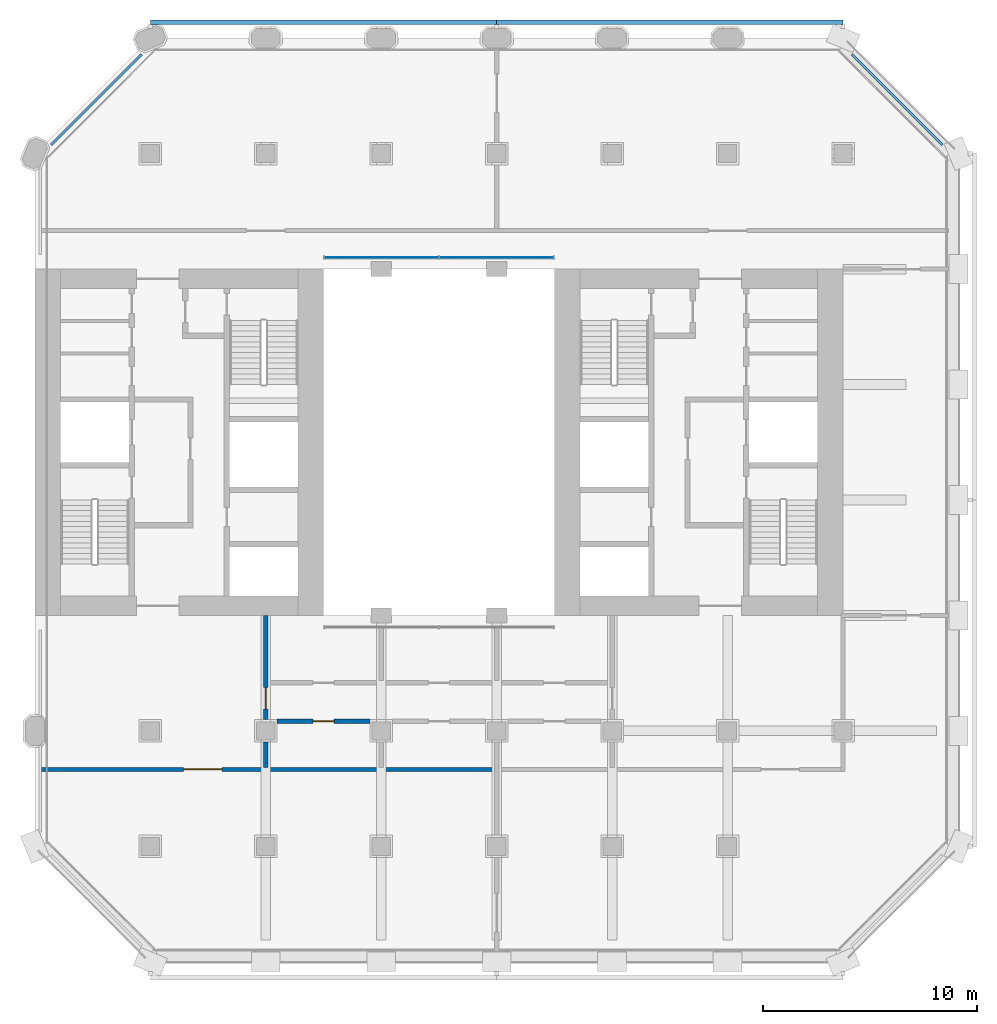
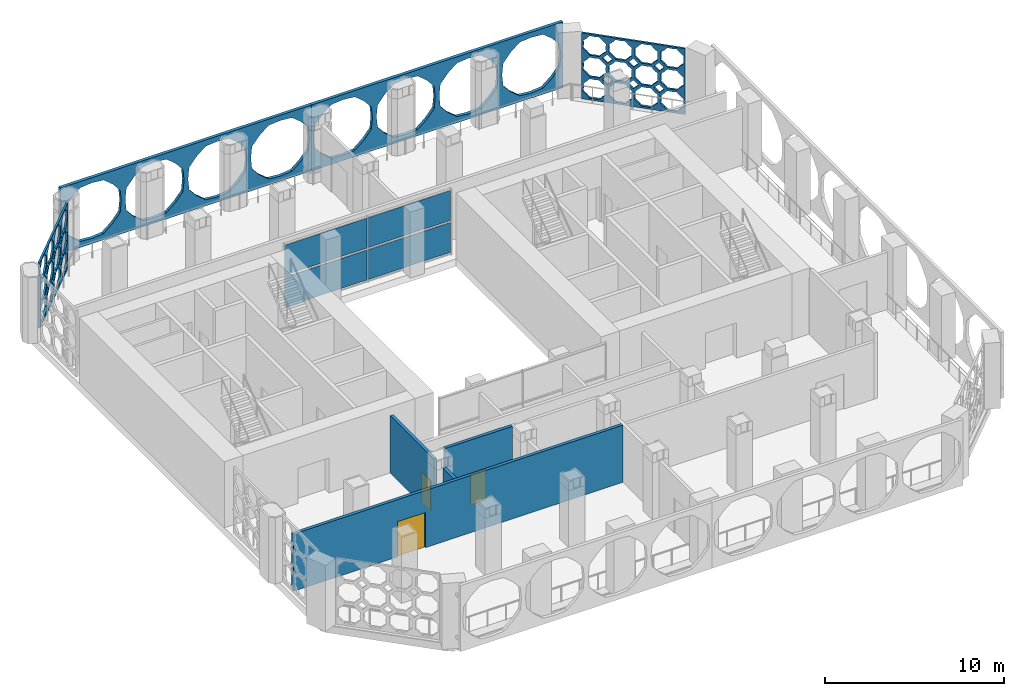
# One storey, part 7 of 14: 8 plates, 4 walls, 3 doors, 3 openings, 1 element without a shape of its own.
"""IFC4 building model written with IfcOpenShell, lengths in metres."""

import ifcopenshell
import ifcopenshell.guid

model = None  # the IFC model being written
_history = None  # IfcOwnerHistory: only IFC2X3 demands one
_inside = {}  # id of a spatial element -> (the spatial element, [elements in it])
_under = {}  # id of a project, library or spatial element -> (it, [spatial elements below it])
_declared = {}  # id of a project -> (the project, [libraries it declares])
_typed = {}  # id of a type object -> (the type object, [elements of that type])
_made_of = {}  # id of a material, layer set ... -> (it, [elements and type objects made of it])


def new_model(schema):
    """Start an empty IFC model of exactly this schema.

    Asked for "IFC4X3", IfcOpenShell would pick the latest addendum, in which some entities
    have other attributes; the version numbers below select the first issue.
    IFC2X3 requires an IfcOwnerHistory on every rooted entity: one is made here for all.
    """
    global model, _history
    if schema == "IFC4X3":
        model = ifcopenshell.file(schema_version=(4, 3, 0, 0))
    else:
        model = ifcopenshell.file(schema=schema)
    _inside.clear()
    _under.clear()
    _declared.clear()
    _typed.clear()
    _made_of.clear()
    _history = None
    if model.schema == "IFC2X3":
        org = make("IfcOrganization", Name="unknown")
        user = make(
            "IfcPersonAndOrganization",
            ThePerson=make("IfcPerson", FamilyName="unknown"),
            TheOrganization=org,
        )
        app = make(
            "IfcApplication",
            ApplicationDeveloper=org,
            Version="unknown",
            ApplicationFullName="unknown",
            ApplicationIdentifier="unknown",
        )
        _history = make(
            "IfcOwnerHistory",
            OwningUser=user,
            OwningApplication=app,
            ChangeAction="ADDED",
            CreationDate=0,
        )
    return model


def make(cls, **values):
    """One entity of the class cls with the attributes given. An attribute that is None is left unset."""
    return model.create_entity(
        cls, **{name: value for name, value in values.items() if value is not None}
    )


def rooted(cls, **values):
    """An entity with a GlobalId (a new one), such as an element, a storey or a relation."""
    return make(cls, GlobalId=ifcopenshell.guid.new(), OwnerHistory=_history, **values)


def si_unit(unit_type, name, prefix=None):
    """IfcSIUnit, for example si_unit("LENGTHUNIT", "METRE", prefix="MILLI")."""
    return make("IfcSIUnit", UnitType=unit_type, Prefix=prefix, Name=name)


def assignment(units):
    """IfcUnitAssignment: the units of a project."""
    return None if units is None else make("IfcUnitAssignment", Units=units)


def point(xyz):
    """IfcCartesianPoint."""
    return None if xyz is None else make("IfcCartesianPoint", Coordinates=xyz)


def direction(xyz):
    """IfcDirection."""
    return None if xyz is None else make("IfcDirection", DirectionRatios=xyz)


def frame(location, z_axis=None, x_axis=None):
    """IfcAxis2Placement3D, a coordinate frame: its origin and axes. An axis left out is left unset."""
    return make(
        "IfcAxis2Placement3D",
        Location=point(location),
        Axis=direction(z_axis),
        RefDirection=direction(x_axis),
    )


def frame_2d(location, x_axis=None):
    """IfcAxis2Placement2D, a coordinate frame in the plane: its origin and x axis."""
    return make(
        "IfcAxis2Placement2D", Location=point(location), RefDirection=direction(x_axis)
    )


def origin():
    """The frame at (0, 0, 0) with its axes left unset."""
    return frame((0.0, 0.0, 0.0))


def origin_2d():
    """The frame at (0, 0) in the plane with its x axis left unset."""
    return frame_2d((0.0, 0.0))


def place(relative_to, where):
    """IfcLocalPlacement: puts the frame where relative to a parent placement (None: the world)."""
    return make(
        "IfcLocalPlacement", PlacementRelTo=relative_to, RelativePlacement=where
    )


def context(
    kind, dimensions, precision=None, world=None, true_north=None, identifier=None
):
    """IfcGeometricRepresentationContext, for example the 3D "Model" context."""
    return make(
        "IfcGeometricRepresentationContext",
        ContextIdentifier=identifier,
        ContextType=kind,
        CoordinateSpaceDimension=dimensions,
        Precision=precision,
        WorldCoordinateSystem=world,
        TrueNorth=true_north,
    )


def subcontext(parent, identifier, kind, view, scale=None):
    """IfcGeometricRepresentationSubContext, for example "Body" below "Model"."""
    return make(
        "IfcGeometricRepresentationSubContext",
        ContextIdentifier=identifier,
        ContextType=kind,
        ParentContext=parent,
        TargetScale=scale,
        TargetView=view,
    )


def project(units=None, contexts=None):
    """IfcProject with its units and contexts."""
    return rooted(
        "IfcProject",
        Name="project",
        RepresentationContexts=contexts,
        UnitsInContext=assignment(units),
    )


def spatial(cls, under=None, at=None, **own):
    """A site, building, storey or space (cls), placed at a placement, below another one or the project."""
    s = rooted(cls, ObjectPlacement=at, **own)
    if under is not None:
        _under.setdefault(under.id(), (under, []))[1].append(s)
    return s


def polyline(points):
    """IfcPolyline through the points."""
    return make("IfcPolyline", Points=[point(p) for p in points])


def profile(cls, at=None, kind="AREA", **sizes):
    """A parametric profile (cls). Its sizes go by their IFC names, for example OverallWidth=200.0."""
    return make(cls, ProfileType=kind, Position=at, **sizes)


def rectangle(**sizes):
    """IfcRectangleProfileDef."""
    return profile("IfcRectangleProfileDef", **sizes)


def outline(outer, holes=None, kind="AREA"):
    """IfcArbitraryClosedProfileDef: a profile drawn as a closed curve; with holes, ...WithVoids."""
    if holes is None:
        return make("IfcArbitraryClosedProfileDef", ProfileType=kind, OuterCurve=outer)
    return make(
        "IfcArbitraryProfileDefWithVoids",
        ProfileType=kind,
        OuterCurve=outer,
        InnerCurves=holes,
    )


def extrude(swept, where, along, depth):
    """IfcExtrudedAreaSolid: the profile swept, set in the frame where, extruded along a direction by depth."""
    return make(
        "IfcExtrudedAreaSolid",
        SweptArea=swept,
        Position=where,
        ExtrudedDirection=direction(along),
        Depth=depth,
    )


def shape(context_of_items, identifier, shape_type, items):
    """IfcShapeRepresentation: the items that make up one representation, for example the "Body"."""
    return make(
        "IfcShapeRepresentation",
        ContextOfItems=context_of_items,
        RepresentationIdentifier=identifier,
        RepresentationType=shape_type,
        Items=items,
    )


def material(Name=None, Category=None):
    """IfcMaterial."""
    return make("IfcMaterial", Name=Name, Category=Category)


def layer(
    of_material, thickness, ventilated=None, Name=None, Category=None, Priority=None
):
    """IfcMaterialLayer: one layer of a wall or slab, of a material (None: an air gap)."""
    return make(
        "IfcMaterialLayer",
        Material=of_material,
        LayerThickness=thickness,
        IsVentilated=ventilated,
        Name=Name,
        Category=Category,
        Priority=Priority,
    )


def layer_set(layers, Name=None):
    """IfcMaterialLayerSet."""
    return make("IfcMaterialLayerSet", MaterialLayers=layers, LayerSetName=Name)


def made_of(thing, what):
    """Note that an element or type object is made of a material, layer set ...; save() writes the relation."""
    if what is not None:
        _made_of.setdefault(what.id(), (what, []))[1].append(thing)
    return thing


def type_object(cls, material=None, **own):
    """A type object (cls), such as IfcWallType, which elements share."""
    return made_of(rooted(cls, **own), material)


def element(
    cls,
    number,
    at=None,
    inside=None,
    cuts=None,
    type_object=None,
    material=None,
    context=None,
    identifier="Body",
    shape_type=None,
    held_by="IfcProductDefinitionShape",
    body=None,
    shapes=None,
    **own,
):
    """One element of the class cls, such as IfcWall. Its Tag is "e" and its number.

    at: its placement. inside: the storey or other place that contains it. cuts: it is an
    opening in that element (IfcRelVoidsElement). A single representation is given by context,
    identifier, shape_type and body (its items); several are given by shapes. held_by: the class
    of the entity that holds the representations. save() writes the other relations.
    """
    e = rooted(cls, Tag="e%d" % number, ObjectPlacement=at, **own)
    if body is not None:
        shapes = [shape(context, identifier, shape_type, body)]
    if shapes is not None:
        e.Representation = make(held_by, Representations=shapes)
    if inside is not None:
        _inside.setdefault(inside.id(), (inside, []))[1].append(e)
    if cuts is not None:
        rooted(
            "IfcRelVoidsElement", RelatingBuildingElement=cuts, RelatedOpeningElement=e
        )
    if type_object is not None:
        _typed.setdefault(type_object.id(), (type_object, []))[1].append(e)
    return made_of(e, material)


def fill(opening, filler):
    """IfcRelFillsElement: the door or window that sits in an opening."""
    return rooted(
        "IfcRelFillsElement",
        RelatingOpeningElement=opening,
        RelatedBuildingElement=filler,
    )


def aggregate(whole, parts):
    """IfcRelAggregates: a whole, such as a stair, and the parts it consists of."""
    return rooted("IfcRelAggregates", RelatingObject=whole, RelatedObjects=parts)


def save(model, path):
    """Write the relations noted so far, then the file.

    IfcRelAggregates (storeys below a building ...), IfcRelContainedInSpatialStructure (elements
    in a storey), IfcRelDefinesByType, IfcRelAssociatesMaterial and IfcRelDeclares: one each for
    every whole, place, type object, material and project.
    """
    for whole, parts in _under.values():
        aggregate(whole, parts)
    for where, things in _inside.values():
        rooted(
            "IfcRelContainedInSpatialStructure",
            RelatedElements=things,
            RelatingStructure=where,
        )
    for kind, things in _typed.values():
        rooted("IfcRelDefinesByType", RelatedObjects=things, RelatingType=kind)
    for what, things in _made_of.values():
        rooted("IfcRelAssociatesMaterial", RelatedObjects=things, RelatingMaterial=what)
    for by, libraries in _declared.values():
        rooted("IfcRelDeclares", RelatingContext=by, RelatedDefinitions=libraries)
    model.write(path)


model = new_model("IFC4")

# Units and contexts
model_context = context("Model", 3, precision=1e-05, world=origin(), true_north=direction((0.0, 1.0)))
body_context = subcontext(model_context, "Body", "Model", "MODEL_VIEW")
ifc_project = project(units=[si_unit("LENGTHUNIT", "METRE"), si_unit("AREAUNIT", "SQUARE_METRE"), si_unit("VOLUMEUNIT", "CUBIC_METRE"), si_unit("PLANEANGLEUNIT", "RADIAN"), si_unit("MASSUNIT", "GRAM", prefix="KILO")], contexts=[model_context])

# Site, building, storey
site_placement = place(None, origin())
site = spatial("IfcSite", under=ifc_project, at=site_placement, CompositionType="ELEMENT")
building_placement = place(site_placement, origin())
building = spatial("IfcBuilding", under=site, at=building_placement, Name="Tabaq Tower and Sports Hall", CompositionType="ELEMENT")
storey_placement = place(building_placement, frame((0.0, 0.0, 175.89990234375)))
storey = spatial("IfcBuildingStorey", under=building, at=storey_placement, Name="L42", CompositionType="ELEMENT", Elevation=175.89990234375)

# Curtain wall, plates
ifc_material_1 = material(Name="Aluminium alloy 6063-T6 framed glazing", Category="aluminium")
curtain_wall_type = type_object("IfcCurtainWallType", Name="CW1 curtain wall", PredefinedType="USERDEFINED", material=ifc_material_1)
curtain_wall_placement = place(storey_placement, origin())
curtain_wall = element("IfcCurtainWall", 1, at=curtain_wall_placement, inside=storey, type_object=curtain_wall_type, Name="Atrium glazing L42 N", ObjectType="ATRIUM ENCLOSURE", PredefinedType="USERDEFINED")
ifc_material_2 = material(Name="Clear low-emissivity glass 28 mm", Category="glass")
ifc_layer_1 = layer(ifc_material_2, 0.028076171875)
ifc_layer_set_1 = layer_set([ifc_layer_1], Name="CW1 glass panel 28")
plate_type_1 = type_object("IfcPlateType", Name="CW1 glass panel 28", PredefinedType="CURTAIN_PANEL", material=ifc_layer_set_1)
plate_1_placement = place(storey_placement, frame((21.614990234375, 32.949951171875, 0.14013671875), z_axis=(0.0, 0.0, 1.0), x_axis=(1.0, 0.0, 0.0)))
plate_1 = element("IfcPlate", 2, at=plate_1_placement, type_object=plate_type_1, Name="CW1 panel 1.1", PredefinedType="CURTAIN_PANEL", context=body_context, shape_type="SweptSolid", body=[
    extrude(rectangle(XDim=5.31005859375, YDim=0.028076171875, at=origin_2d()), origin(), (0.0, 0.0, 1.0), 2.0400390625),
])
plate_2_placement = place(storey_placement, frame((21.614990234375, 32.949951171875, 2.320068359375), z_axis=(0.0, 0.0, 1.0), x_axis=(1.0, 0.0, 0.0)))
plate_2 = element("IfcPlate", 3, at=plate_2_placement, type_object=plate_type_1, Name="CW1 panel 1.2", PredefinedType="CURTAIN_PANEL", context=body_context, shape_type="SweptSolid", body=[
    extrude(rectangle(XDim=5.31005859375, YDim=0.028076171875, at=origin_2d()), origin(), (0.0, 0.0, 1.0), 2.0400390625),
])
plate_3_placement = place(storey_placement, frame((26.985107421875, 32.949951171875, 0.14013671875), z_axis=(0.0, 0.0, 1.0), x_axis=(1.0, 0.0, 0.0)))
plate_3 = element("IfcPlate", 4, at=plate_3_placement, type_object=plate_type_1, Name="CW1 panel 2.1", PredefinedType="CURTAIN_PANEL", context=body_context, shape_type="SweptSolid", body=[
    extrude(rectangle(XDim=5.31005859375, YDim=0.028076171875, at=origin_2d()), origin(), (0.0, 0.0, 1.0), 2.0400390625),
])
plate_4_placement = place(storey_placement, frame((26.985107421875, 32.949951171875, 2.320068359375), z_axis=(0.0, 0.0, 1.0), x_axis=(1.0, 0.0, 0.0)))
plate_4 = element("IfcPlate", 5, at=plate_4_placement, type_object=plate_type_1, Name="CW1 panel 2.2", PredefinedType="CURTAIN_PANEL", context=body_context, shape_type="SweptSolid", body=[
    extrude(rectangle(XDim=5.31005859375, YDim=0.028076171875, at=origin_2d()), origin(), (0.0, 0.0, 1.0), 2.0400390625),
])
aggregate(curtain_wall, [plate_1, plate_2, plate_3, plate_4])

# Plates
ifc_material_3 = material(Name="White precast concrete C60/75 pierced screen", Category="concrete")
ifc_layer_2 = layer(ifc_material_3, 0.199951171875)
ifc_layer_set_2 = layer_set([ifc_layer_2], Name="White precast concrete C60/75 girih screen 200")
plate_type_2 = type_object("IfcPlateType", Name="White precast concrete C60/75 girih screen 200", PredefinedType="USERDEFINED", material=ifc_layer_set_2)
plate_5_placement = place(storey_placement, frame((43.199951171875, 43.949951171875, 0.0), z_axis=(0.0, 0.0, 1.0), x_axis=(-1.0, 0.0, 0.0)))
element("IfcPlate", 6, at=plate_5_placement, inside=storey, type_object=plate_type_2, Name="Girih screen L42 N", ObjectType="SCREEN", PredefinedType="USERDEFINED", context=body_context, shape_type="SweptSolid", body=[
    extrude(outline(polyline([(0.0, 0.0), (16.199951171875, 0.0), (16.199951171875, 4.5), (0.0, 4.5), (0.0, 0.0)]), holes=[polyline([(3.85107421875, 3.00634765625), (3.36669921875, 3.591796875), (2.78125, 4.076171875), (2.02490234375, 4.1474609375), (1.2685546875, 4.076171875), (0.683349609375, 3.591796875), (0.198974609375, 3.00634765625), (0.127685546875, 2.25), (0.198974609375, 1.49365234375), (0.683349609375, 0.908447265625), (1.2685546875, 0.424072265625), (2.02490234375, 0.352783203125), (2.78125, 0.424072265625), (3.36669921875, 0.908447265625), (3.85107421875, 1.49365234375), (3.92236328125, 2.25), (3.85107421875, 3.00634765625)]), polyline([(7.90087890625, 3.00634765625), (7.41650390625, 3.591796875), (6.831298828125, 4.076171875), (6.074951171875, 4.1474609375), (5.318603515625, 4.076171875), (4.7333984375, 3.591796875), (4.2490234375, 3.00634765625), (4.177734375, 2.25), (4.2490234375, 1.49365234375), (4.7333984375, 0.908447265625), (5.318603515625, 0.424072265625), (6.074951171875, 0.352783203125), (6.831298828125, 0.424072265625), (7.41650390625, 0.908447265625), (7.90087890625, 1.49365234375), (7.972412109375, 2.25), (7.90087890625, 3.00634765625)]), polyline([(11.950927734375, 3.00634765625), (11.466552734375, 3.591796875), (10.88134765625, 4.076171875), (10.125, 4.1474609375), (9.36865234375, 4.076171875), (8.783447265625, 3.591796875), (8.299072265625, 3.00634765625), (8.2275390625, 2.25), (8.299072265625, 1.49365234375), (8.783447265625, 0.908447265625), (9.36865234375, 0.424072265625), (10.125, 0.352783203125), (10.88134765625, 0.424072265625), (11.466552734375, 0.908447265625), (11.950927734375, 1.49365234375), (12.0224609375, 2.25), (11.950927734375, 3.00634765625)]), polyline([(16.0009765625, 3.00634765625), (15.5166015625, 3.591796875), (14.931396484375, 4.076171875), (14.175048828125, 4.1474609375), (13.418701171875, 4.076171875), (12.83349609375, 3.591796875), (12.34912109375, 3.00634765625), (12.277587890625, 2.25), (12.34912109375, 1.49365234375), (12.83349609375, 0.908447265625), (13.418701171875, 0.424072265625), (14.175048828125, 0.352783203125), (14.931396484375, 0.424072265625), (15.5166015625, 0.908447265625), (16.0009765625, 1.49365234375), (16.072265625, 2.25), (16.0009765625, 3.00634765625)])]), frame((0.0, 0.10009765625, 0.0), z_axis=(0.0, -1.0, 0.0), x_axis=(1.0, 0.0, 0.0)), (0.0, 0.0, 1.0), 0.199951171875),
])
plate_6_placement = place(storey_placement, frame((27.0, 43.949951171875, 0.0), z_axis=(0.0, 0.0, 1.0), x_axis=(-1.0, 0.0, 0.0)))
element("IfcPlate", 7, at=plate_6_placement, inside=storey, type_object=plate_type_2, Name="Girih screen L42 N", ObjectType="SCREEN", PredefinedType="USERDEFINED", context=body_context, shape_type="SweptSolid", body=[
    extrude(outline(polyline([(0.0, 0.0), (16.199951171875, 0.0), (16.199951171875, 4.5), (0.0, 4.5), (0.0, 0.0)]), holes=[polyline([(3.85107421875, 3.00634765625), (3.36669921875, 3.591796875), (2.78125, 4.076171875), (2.02490234375, 4.1474609375), (1.2685546875, 4.076171875), (0.683349609375, 3.591796875), (0.198974609375, 3.00634765625), (0.127685546875, 2.25), (0.198974609375, 1.49365234375), (0.683349609375, 0.908447265625), (1.2685546875, 0.424072265625), (2.02490234375, 0.352783203125), (2.78125, 0.424072265625), (3.36669921875, 0.908447265625), (3.85107421875, 1.49365234375), (3.92236328125, 2.25), (3.85107421875, 3.00634765625)]), polyline([(7.90087890625, 3.00634765625), (7.41650390625, 3.591796875), (6.831298828125, 4.076171875), (6.074951171875, 4.1474609375), (5.318603515625, 4.076171875), (4.7333984375, 3.591796875), (4.2490234375, 3.00634765625), (4.177734375, 2.25), (4.2490234375, 1.49365234375), (4.7333984375, 0.908447265625), (5.318603515625, 0.424072265625), (6.074951171875, 0.352783203125), (6.831298828125, 0.424072265625), (7.41650390625, 0.908447265625), (7.90087890625, 1.49365234375), (7.972412109375, 2.25), (7.90087890625, 3.00634765625)]), polyline([(11.950927734375, 3.00634765625), (11.466552734375, 3.591796875), (10.88134765625, 4.076171875), (10.125, 4.1474609375), (9.36865234375, 4.076171875), (8.783447265625, 3.591796875), (8.299072265625, 3.00634765625), (8.2275390625, 2.25), (8.299072265625, 1.49365234375), (8.783447265625, 0.908447265625), (9.36865234375, 0.424072265625), (10.125, 0.352783203125), (10.88134765625, 0.424072265625), (11.466552734375, 0.908447265625), (11.950927734375, 1.49365234375), (12.0224609375, 2.25), (11.950927734375, 3.00634765625)]), polyline([(16.0009765625, 3.00634765625), (15.5166015625, 3.591796875), (14.931396484375, 4.076171875), (14.175048828125, 4.1474609375), (13.418701171875, 4.076171875), (12.83349609375, 3.591796875), (12.34912109375, 3.00634765625), (12.277587890625, 2.25), (12.34912109375, 1.49365234375), (12.83349609375, 0.908447265625), (13.418701171875, 0.424072265625), (14.175048828125, 0.352783203125), (14.931396484375, 0.424072265625), (15.5166015625, 0.908447265625), (16.0009765625, 1.49365234375), (16.072265625, 2.25), (16.0009765625, 3.00634765625)])]), frame((0.0, 0.10009765625, 0.0), z_axis=(0.0, -1.0, 0.0), x_axis=(1.0, 0.0, 0.0)), (0.0, 0.0, 1.0), 0.199951171875),
])
ifc_material_4 = material(Name="White precast concrete C60/75 pierced screen", Category="concrete")
ifc_layer_3 = layer(ifc_material_4, 0.1201171875)
ifc_layer_set_3 = layer_set([ifc_layer_3], Name="White precast concrete C60/75 screen 120")
plate_type_3 = type_object("IfcPlateType", Name="White precast concrete C60/75 screen 120", PredefinedType="USERDEFINED", material=ifc_layer_set_3)
plate_7_placement = place(storey_placement, frame((47.83984375, 38.20654296875, 0.0), z_axis=(0.0, 0.0, 1.0), x_axis=(-0.707086390836, 0.707127170949, 0.0)))
element("IfcPlate", 8, at=plate_7_placement, inside=storey, type_object=plate_type_3, Name="Pierced screen L42 NE", ObjectType="SCREEN", PredefinedType="USERDEFINED", context=body_context, shape_type="SweptSolid", body=[
    extrude(outline(polyline([(0.0, 0.0), (5.98681640625, 0.0), (5.98681640625, 4.5), (0.0, 4.5), (0.0, 0.0)]), holes=[polyline([(1.40966796875, 1.057373046875), (1.203857421875, 1.239013671875), (1.022216796875, 1.444580078125), (0.748291015625, 1.427490234375), (0.474365234375, 1.444580078125), (0.29296875, 1.239013671875), (0.087158203125, 1.057373046875), (0.104248046875, 0.783447265625), (0.087158203125, 0.509521484375), (0.29296875, 0.327880859375), (0.474365234375, 0.1220703125), (0.748291015625, 0.13916015625), (1.022216796875, 0.1220703125), (1.203857421875, 0.327880859375), (1.40966796875, 0.509521484375), (1.392578125, 0.783447265625), (1.40966796875, 1.057373046875)]), polyline([(1.40966796875, 2.52392578125), (1.203857421875, 2.70556640625), (1.022216796875, 2.911376953125), (0.748291015625, 2.894287109375), (0.474365234375, 2.911376953125), (0.29296875, 2.70556640625), (0.087158203125, 2.52392578125), (0.104248046875, 2.25), (0.087158203125, 1.976318359375), (0.29296875, 1.794677734375), (0.474365234375, 1.5888671875), (0.748291015625, 1.60595703125), (1.022216796875, 1.5888671875), (1.203857421875, 1.794677734375), (1.40966796875, 1.976318359375), (1.392578125, 2.25), (1.40966796875, 2.52392578125)]), polyline([(1.40966796875, 3.99072265625), (1.203857421875, 4.17236328125), (1.022216796875, 4.3779296875), (0.748291015625, 4.36083984375), (0.474365234375, 4.3779296875), (0.29296875, 4.17236328125), (0.087158203125, 3.99072265625), (0.104248046875, 3.716796875), (0.087158203125, 3.44287109375), (0.29296875, 3.26123046875), (0.474365234375, 3.055419921875), (0.748291015625, 3.072509765625), (1.022216796875, 3.055419921875), (1.203857421875, 3.26123046875), (1.40966796875, 3.44287109375), (1.392578125, 3.716796875), (1.40966796875, 3.99072265625)]), polyline([(2.90625, 1.057373046875), (2.700439453125, 1.239013671875), (2.51904296875, 1.444580078125), (2.2451171875, 1.427490234375), (1.97119140625, 1.444580078125), (1.78955078125, 1.239013671875), (1.583740234375, 1.057373046875), (1.600830078125, 0.783447265625), (1.583740234375, 0.509521484375), (1.78955078125, 0.327880859375), (1.97119140625, 0.1220703125), (2.2451171875, 0.13916015625), (2.51904296875, 0.1220703125), (2.700439453125, 0.327880859375), (2.90625, 0.509521484375), (2.88916015625, 0.783447265625), (2.90625, 1.057373046875)]), polyline([(2.90625, 2.52392578125), (2.700439453125, 2.70556640625), (2.51904296875, 2.911376953125), (2.2451171875, 2.894287109375), (1.97119140625, 2.911376953125), (1.78955078125, 2.70556640625), (1.583740234375, 2.52392578125), (1.600830078125, 2.25), (1.583740234375, 1.976318359375), (1.78955078125, 1.794677734375), (1.97119140625, 1.5888671875), (2.2451171875, 1.60595703125), (2.51904296875, 1.5888671875), (2.700439453125, 1.794677734375), (2.90625, 1.976318359375), (2.88916015625, 2.25), (2.90625, 2.52392578125)]), polyline([(2.90625, 3.99072265625), (2.700439453125, 4.17236328125), (2.51904296875, 4.3779296875), (2.2451171875, 4.36083984375), (1.97119140625, 4.3779296875), (1.78955078125, 4.17236328125), (1.583740234375, 3.99072265625), (1.600830078125, 3.716796875), (1.583740234375, 3.44287109375), (1.78955078125, 3.26123046875), (1.97119140625, 3.055419921875), (2.2451171875, 3.072509765625), (2.51904296875, 3.055419921875), (2.700439453125, 3.26123046875), (2.90625, 3.44287109375), (2.88916015625, 3.716796875), (2.90625, 3.99072265625)]), polyline([(4.403076171875, 1.057373046875), (4.197265625, 1.239013671875), (4.015625, 1.444580078125), (3.74169921875, 1.427490234375), (3.4677734375, 1.444580078125), (3.2861328125, 1.239013671875), (3.08056640625, 1.057373046875), (3.09765625, 0.783447265625), (3.08056640625, 0.509521484375), (3.2861328125, 0.327880859375), (3.4677734375, 0.1220703125), (3.74169921875, 0.13916015625), (4.015625, 0.1220703125), (4.197265625, 0.327880859375), (4.403076171875, 0.509521484375), (4.385986328125, 0.783447265625), (4.403076171875, 1.057373046875)]), polyline([(4.403076171875, 2.52392578125), (4.197265625, 2.70556640625), (4.015625, 2.911376953125), (3.74169921875, 2.894287109375), (3.4677734375, 2.911376953125), (3.2861328125, 2.70556640625), (3.08056640625, 2.52392578125), (3.09765625, 2.25), (3.08056640625, 1.976318359375), (3.2861328125, 1.794677734375), (3.4677734375, 1.5888671875), (3.74169921875, 1.60595703125), (4.015625, 1.5888671875), (4.197265625, 1.794677734375), (4.403076171875, 1.976318359375), (4.385986328125, 2.25), (4.403076171875, 2.52392578125)]), polyline([(4.403076171875, 3.99072265625), (4.197265625, 4.17236328125), (4.015625, 4.3779296875), (3.74169921875, 4.36083984375), (3.4677734375, 4.3779296875), (3.2861328125, 4.17236328125), (3.08056640625, 3.99072265625), (3.09765625, 3.716796875), (3.08056640625, 3.44287109375), (3.2861328125, 3.26123046875), (3.4677734375, 3.055419921875), (3.74169921875, 3.072509765625), (4.015625, 3.055419921875), (4.197265625, 3.26123046875), (4.403076171875, 3.44287109375), (4.385986328125, 3.716796875), (4.403076171875, 3.99072265625)]), polyline([(5.899658203125, 1.057373046875), (5.69384765625, 1.239013671875), (5.51220703125, 1.444580078125), (5.238525390625, 1.427490234375), (4.964599609375, 1.444580078125), (4.782958984375, 1.239013671875), (4.5771484375, 1.057373046875), (4.59423828125, 0.783447265625), (4.5771484375, 0.509521484375), (4.782958984375, 0.327880859375), (4.964599609375, 0.1220703125), (5.238525390625, 0.13916015625), (5.51220703125, 0.1220703125), (5.69384765625, 0.327880859375), (5.899658203125, 0.509521484375), (5.882568359375, 0.783447265625), (5.899658203125, 1.057373046875)]), polyline([(5.899658203125, 2.52392578125), (5.69384765625, 2.70556640625), (5.51220703125, 2.911376953125), (5.238525390625, 2.894287109375), (4.964599609375, 2.911376953125), (4.782958984375, 2.70556640625), (4.5771484375, 2.52392578125), (4.59423828125, 2.25), (4.5771484375, 1.976318359375), (4.782958984375, 1.794677734375), (4.964599609375, 1.5888671875), (5.238525390625, 1.60595703125), (5.51220703125, 1.5888671875), (5.69384765625, 1.794677734375), (5.899658203125, 1.976318359375), (5.882568359375, 2.25), (5.899658203125, 2.52392578125)]), polyline([(5.899658203125, 3.99072265625), (5.69384765625, 4.17236328125), (5.51220703125, 4.3779296875), (5.238525390625, 4.36083984375), (4.964599609375, 4.3779296875), (4.782958984375, 4.17236328125), (4.5771484375, 3.99072265625), (4.59423828125, 3.716796875), (4.5771484375, 3.44287109375), (4.782958984375, 3.26123046875), (4.964599609375, 3.055419921875), (5.238525390625, 3.072509765625), (5.51220703125, 3.055419921875), (5.69384765625, 3.26123046875), (5.899658203125, 3.44287109375), (5.882568359375, 3.716796875), (5.899658203125, 3.99072265625)]), polyline([(1.7900390625, 1.516845703125), (1.49658203125, 1.81005859375), (1.203369140625, 1.516845703125), (1.49658203125, 1.223388671875), (1.7900390625, 1.516845703125)]), polyline([(1.7900390625, 2.9833984375), (1.49658203125, 3.27685546875), (1.203369140625, 2.9833984375), (1.49658203125, 2.690185546875), (1.7900390625, 2.9833984375)]), polyline([(3.28662109375, 1.516845703125), (2.993408203125, 1.81005859375), (2.699951171875, 1.516845703125), (2.993408203125, 1.223388671875), (3.28662109375, 1.516845703125)]), polyline([(3.28662109375, 2.9833984375), (2.993408203125, 3.27685546875), (2.699951171875, 2.9833984375), (2.993408203125, 2.690185546875), (3.28662109375, 2.9833984375)]), polyline([(4.783447265625, 1.516845703125), (4.489990234375, 1.81005859375), (4.19677734375, 1.516845703125), (4.489990234375, 1.223388671875), (4.783447265625, 1.516845703125)]), polyline([(4.783447265625, 2.9833984375), (4.489990234375, 3.27685546875), (4.19677734375, 2.9833984375), (4.489990234375, 2.690185546875), (4.783447265625, 2.9833984375)])]), frame((0.0, 0.06005859375, 0.0), z_axis=(0.0, -1.0, 0.0), x_axis=(1.0, 0.0, 0.0)), (0.0, 0.0, 1.0), 0.1201171875),
])
plate_8_placement = place(storey_placement, frame((10.393310546875, 42.43994140625, 0.0), z_axis=(0.0, 0.0, 1.0), x_axis=(-0.707086390836, -0.707127170949, 0.0)))
element("IfcPlate", 9, at=plate_8_placement, inside=storey, type_object=plate_type_3, Name="Pierced screen L42 NW", ObjectType="SCREEN", PredefinedType="USERDEFINED", context=body_context, shape_type="SweptSolid", body=[
    extrude(outline(polyline([(0.0, 0.0), (5.98681640625, 0.0), (5.98681640625, 4.5), (0.0, 4.5), (0.0, 0.0)]), holes=[polyline([(1.40966796875, 1.057373046875), (1.203857421875, 1.239013671875), (1.022216796875, 1.444580078125), (0.748291015625, 1.427490234375), (0.474365234375, 1.444580078125), (0.29296875, 1.239013671875), (0.087158203125, 1.057373046875), (0.104248046875, 0.783447265625), (0.087158203125, 0.509521484375), (0.29296875, 0.327880859375), (0.474365234375, 0.1220703125), (0.748291015625, 0.13916015625), (1.022216796875, 0.1220703125), (1.203857421875, 0.327880859375), (1.40966796875, 0.509521484375), (1.392578125, 0.783447265625), (1.40966796875, 1.057373046875)]), polyline([(1.40966796875, 2.52392578125), (1.203857421875, 2.70556640625), (1.022216796875, 2.911376953125), (0.748291015625, 2.894287109375), (0.474365234375, 2.911376953125), (0.29296875, 2.70556640625), (0.087158203125, 2.52392578125), (0.104248046875, 2.25), (0.087158203125, 1.976318359375), (0.29296875, 1.794677734375), (0.474365234375, 1.5888671875), (0.748291015625, 1.60595703125), (1.022216796875, 1.5888671875), (1.203857421875, 1.794677734375), (1.40966796875, 1.976318359375), (1.392578125, 2.25), (1.40966796875, 2.52392578125)]), polyline([(1.40966796875, 3.99072265625), (1.203857421875, 4.17236328125), (1.022216796875, 4.3779296875), (0.748291015625, 4.36083984375), (0.474365234375, 4.3779296875), (0.29296875, 4.17236328125), (0.087158203125, 3.99072265625), (0.104248046875, 3.716796875), (0.087158203125, 3.44287109375), (0.29296875, 3.26123046875), (0.474365234375, 3.055419921875), (0.748291015625, 3.072509765625), (1.022216796875, 3.055419921875), (1.203857421875, 3.26123046875), (1.40966796875, 3.44287109375), (1.392578125, 3.716796875), (1.40966796875, 3.99072265625)]), polyline([(2.90625, 1.057373046875), (2.700439453125, 1.239013671875), (2.51904296875, 1.444580078125), (2.2451171875, 1.427490234375), (1.97119140625, 1.444580078125), (1.78955078125, 1.239013671875), (1.583740234375, 1.057373046875), (1.600830078125, 0.783447265625), (1.583740234375, 0.509521484375), (1.78955078125, 0.327880859375), (1.97119140625, 0.1220703125), (2.2451171875, 0.13916015625), (2.51904296875, 0.1220703125), (2.700439453125, 0.327880859375), (2.90625, 0.509521484375), (2.88916015625, 0.783447265625), (2.90625, 1.057373046875)]), polyline([(2.90625, 2.52392578125), (2.700439453125, 2.70556640625), (2.51904296875, 2.911376953125), (2.2451171875, 2.894287109375), (1.97119140625, 2.911376953125), (1.78955078125, 2.70556640625), (1.583740234375, 2.52392578125), (1.600830078125, 2.25), (1.583740234375, 1.976318359375), (1.78955078125, 1.794677734375), (1.97119140625, 1.5888671875), (2.2451171875, 1.60595703125), (2.51904296875, 1.5888671875), (2.700439453125, 1.794677734375), (2.90625, 1.976318359375), (2.88916015625, 2.25), (2.90625, 2.52392578125)]), polyline([(2.90625, 3.99072265625), (2.700439453125, 4.17236328125), (2.51904296875, 4.3779296875), (2.2451171875, 4.36083984375), (1.97119140625, 4.3779296875), (1.78955078125, 4.17236328125), (1.583740234375, 3.99072265625), (1.600830078125, 3.716796875), (1.583740234375, 3.44287109375), (1.78955078125, 3.26123046875), (1.97119140625, 3.055419921875), (2.2451171875, 3.072509765625), (2.51904296875, 3.055419921875), (2.700439453125, 3.26123046875), (2.90625, 3.44287109375), (2.88916015625, 3.716796875), (2.90625, 3.99072265625)]), polyline([(4.403076171875, 1.057373046875), (4.197265625, 1.239013671875), (4.015625, 1.444580078125), (3.74169921875, 1.427490234375), (3.4677734375, 1.444580078125), (3.2861328125, 1.239013671875), (3.08056640625, 1.057373046875), (3.09765625, 0.783447265625), (3.08056640625, 0.509521484375), (3.2861328125, 0.327880859375), (3.4677734375, 0.1220703125), (3.74169921875, 0.13916015625), (4.015625, 0.1220703125), (4.197265625, 0.327880859375), (4.403076171875, 0.509521484375), (4.385986328125, 0.783447265625), (4.403076171875, 1.057373046875)]), polyline([(4.403076171875, 2.52392578125), (4.197265625, 2.70556640625), (4.015625, 2.911376953125), (3.74169921875, 2.894287109375), (3.4677734375, 2.911376953125), (3.2861328125, 2.70556640625), (3.08056640625, 2.52392578125), (3.09765625, 2.25), (3.08056640625, 1.976318359375), (3.2861328125, 1.794677734375), (3.4677734375, 1.5888671875), (3.74169921875, 1.60595703125), (4.015625, 1.5888671875), (4.197265625, 1.794677734375), (4.403076171875, 1.976318359375), (4.385986328125, 2.25), (4.403076171875, 2.52392578125)]), polyline([(4.403076171875, 3.99072265625), (4.197265625, 4.17236328125), (4.015625, 4.3779296875), (3.74169921875, 4.36083984375), (3.4677734375, 4.3779296875), (3.2861328125, 4.17236328125), (3.08056640625, 3.99072265625), (3.09765625, 3.716796875), (3.08056640625, 3.44287109375), (3.2861328125, 3.26123046875), (3.4677734375, 3.055419921875), (3.74169921875, 3.072509765625), (4.015625, 3.055419921875), (4.197265625, 3.26123046875), (4.403076171875, 3.44287109375), (4.385986328125, 3.716796875), (4.403076171875, 3.99072265625)]), polyline([(5.899658203125, 1.057373046875), (5.69384765625, 1.239013671875), (5.51220703125, 1.444580078125), (5.238525390625, 1.427490234375), (4.964599609375, 1.444580078125), (4.782958984375, 1.239013671875), (4.5771484375, 1.057373046875), (4.59423828125, 0.783447265625), (4.5771484375, 0.509521484375), (4.782958984375, 0.327880859375), (4.964599609375, 0.1220703125), (5.238525390625, 0.13916015625), (5.51220703125, 0.1220703125), (5.69384765625, 0.327880859375), (5.899658203125, 0.509521484375), (5.882568359375, 0.783447265625), (5.899658203125, 1.057373046875)]), polyline([(5.899658203125, 2.52392578125), (5.69384765625, 2.70556640625), (5.51220703125, 2.911376953125), (5.238525390625, 2.894287109375), (4.964599609375, 2.911376953125), (4.782958984375, 2.70556640625), (4.5771484375, 2.52392578125), (4.59423828125, 2.25), (4.5771484375, 1.976318359375), (4.782958984375, 1.794677734375), (4.964599609375, 1.5888671875), (5.238525390625, 1.60595703125), (5.51220703125, 1.5888671875), (5.69384765625, 1.794677734375), (5.899658203125, 1.976318359375), (5.882568359375, 2.25), (5.899658203125, 2.52392578125)]), polyline([(5.899658203125, 3.99072265625), (5.69384765625, 4.17236328125), (5.51220703125, 4.3779296875), (5.238525390625, 4.36083984375), (4.964599609375, 4.3779296875), (4.782958984375, 4.17236328125), (4.5771484375, 3.99072265625), (4.59423828125, 3.716796875), (4.5771484375, 3.44287109375), (4.782958984375, 3.26123046875), (4.964599609375, 3.055419921875), (5.238525390625, 3.072509765625), (5.51220703125, 3.055419921875), (5.69384765625, 3.26123046875), (5.899658203125, 3.44287109375), (5.882568359375, 3.716796875), (5.899658203125, 3.99072265625)]), polyline([(1.7900390625, 1.516845703125), (1.49658203125, 1.81005859375), (1.203369140625, 1.516845703125), (1.49658203125, 1.223388671875), (1.7900390625, 1.516845703125)]), polyline([(1.7900390625, 2.9833984375), (1.49658203125, 3.27685546875), (1.203369140625, 2.9833984375), (1.49658203125, 2.690185546875), (1.7900390625, 2.9833984375)]), polyline([(3.28662109375, 1.516845703125), (2.993408203125, 1.81005859375), (2.699951171875, 1.516845703125), (2.993408203125, 1.223388671875), (3.28662109375, 1.516845703125)]), polyline([(3.28662109375, 2.9833984375), (2.993408203125, 3.27685546875), (2.699951171875, 2.9833984375), (2.993408203125, 2.690185546875), (3.28662109375, 2.9833984375)]), polyline([(4.783447265625, 1.516845703125), (4.489990234375, 1.81005859375), (4.19677734375, 1.516845703125), (4.489990234375, 1.223388671875), (4.783447265625, 1.516845703125)]), polyline([(4.783447265625, 2.9833984375), (4.489990234375, 3.27685546875), (4.19677734375, 2.9833984375), (4.489990234375, 2.690185546875), (4.783447265625, 2.9833984375)])]), frame((0.0, 0.06005859375, 0.0), z_axis=(0.0, -1.0, 0.0), x_axis=(1.0, 0.0, 0.0)), (0.0, 0.0, 1.0), 0.1201171875),
])

# Wall, opening, door
ifc_material_5 = material(Name="Blockwork", Category="masonry")
ifc_layer_4 = layer(ifc_material_5, 0.199951171875)
ifc_layer_set_4 = layer_set([ifc_layer_4], Name="Fire compartment wall 200 Blockwork")
wall_type = type_object("IfcWallType", Name="Fire compartment wall 200 Blockwork", PredefinedType="PARTITIONING", material=ifc_layer_set_4)
wall_1_placement = place(storey_placement, frame((16.7255859375, 11.25, 0.0), z_axis=(0.0, 0.0, 1.0), x_axis=(1.0, 0.0, 0.0)))
wall_1 = element("IfcWall", 10, at=wall_1_placement, inside=storey, type_object=wall_type, Name="Compartment wall L42", PredefinedType="PARTITIONING", context=body_context, shape_type="SweptSolid", body=[
    extrude(rectangle(XDim=4.3486328125, YDim=0.199951171875, at=frame_2d((2.17431640625, 0.0))), origin(), (0.0, 0.0, 1.0), 4.5),
])
opening_1_placement = place(wall_1_placement, frame((1.67431640625, 0.0, 0.0)))
opening_1 = element("IfcOpeningElement", 11, at=opening_1_placement, cuts=wall_1, Name="Opening L42-002", PredefinedType="OPENING", context=body_context, shape_type="SweptSolid", body=[
    extrude(rectangle(XDim=1.0, YDim=2.10009765625, at=frame_2d((0.5, 1.050048828125))), frame((0.0, 0.10009765625, 0.0), z_axis=(0.0, -1.0, 0.0), x_axis=(1.0, 0.0, 0.0)), (0.0, 0.0, 1.0), 0.199951171875),
])
ifc_material_6 = material(Name="Steel fire door", Category="steel")
door_type_1 = type_object("IfcDoorType", Name="Plant room door 1000 left hand", OperationType="SINGLE_SWING_LEFT", PredefinedType="DOOR", material=ifc_material_6)
door_1_placement = place(opening_1_placement, origin())
door_1 = element("IfcDoor", 12, at=door_1_placement, inside=storey, type_object=door_type_1, Name="Plant room door L42-002", OperationType="SINGLE_SWING_LEFT", OverallHeight=2.10009765625, OverallWidth=1.0, PredefinedType="DOOR", context=body_context, shape_type="SweptSolid", body=[
    extrude(rectangle(XDim=1.0, YDim=2.10009765625, at=frame_2d((0.5, 1.050048828125))), frame((0.0, 0.02490234375, 0.0), z_axis=(0.0, -1.0, 0.0), x_axis=(1.0, 0.0, 0.0)), (0.0, 0.0, 1.0), 0.050048828125),
])
fill(opening_1, door_1)

wall_2_placement = place(storey_placement, frame((26.89990234375, 9.0, 0.0), z_axis=(0.0, 0.0, 1.0), x_axis=(-1.0, 0.0, 0.0)))
wall_2 = element("IfcWall", 13, at=wall_2_placement, inside=storey, type_object=wall_type, Name="Compartment wall L42", PredefinedType="PARTITIONING", context=body_context, shape_type="SweptSolid", body=[
    extrude(rectangle(XDim=21.25, YDim=0.199951171875, at=frame_2d((10.625, 0.0))), origin(), (0.0, 0.0, 1.0), 3.900146484375),
])
opening_2_placement = place(wall_2_placement, frame((12.75, 0.0, 0.0)))
opening_2 = element("IfcOpeningElement", 14, at=opening_2_placement, cuts=wall_2, Name="Opening L42-012", PredefinedType="OPENING", context=body_context, shape_type="SweptSolid", body=[
    extrude(rectangle(XDim=1.800048828125, YDim=2.39990234375, at=frame_2d((0.89990234375, 1.199951171875))), frame((0.0, 0.10009765625, 0.0), z_axis=(0.0, -1.0, 0.0), x_axis=(1.0, 0.0, 0.0)), (0.0, 0.0, 1.0), 0.199951171875),
])
ifc_material_7 = material(Name="Steel fire door", Category="steel")
door_type_2 = type_object("IfcDoorType", Name="Refuge holding area door 1800", OperationType="DOUBLE_DOOR_SINGLE_SWING", PredefinedType="DOOR", material=ifc_material_7)
door_2_placement = place(opening_2_placement, origin())
door_2 = element("IfcDoor", 15, at=door_2_placement, inside=storey, type_object=door_type_2, Name="Refuge holding area door L42-012", OperationType="DOUBLE_DOOR_SINGLE_SWING", OverallHeight=2.39990234375, OverallWidth=1.800048828125, PredefinedType="DOOR", context=body_context, shape_type="SweptSolid", body=[
    extrude(rectangle(XDim=1.800048828125, YDim=2.39990234375, at=frame_2d((0.89990234375, 1.199951171875))), frame((0.0, 0.02490234375, 0.0), z_axis=(0.0, -1.0, 0.0), x_axis=(1.0, 0.0, 0.0)), (0.0, 0.0, 1.0), 0.050048828125),
])
fill(opening_2, door_2)

# Wall
wall_3_placement = place(storey_placement, frame((16.199951171875, 9.10009765625, 0.0), z_axis=(0.0, 0.0, 1.0), x_axis=(0.0, 1.0, 0.0)))
element("IfcWall", 16, at=wall_3_placement, inside=storey, type_object=wall_type, Name="Compartment wall L42", PredefinedType="PARTITIONING", context=body_context, shape_type="SweptSolid", body=[
    extrude(rectangle(XDim=1.17431640625, YDim=0.199951171875, at=frame_2d((0.587158203125, 0.0))), origin(), (0.0, 0.0, 1.0), 3.900146484375),
])

# Wall, opening, door
wall_4_placement = place(storey_placement, frame((16.199951171875, 16.199951171875, 0.0), z_axis=(0.0, 0.0, 1.0), x_axis=(0.0, -1.0, 0.0)))
wall_4 = element("IfcWall", 17, at=wall_4_placement, inside=storey, type_object=wall_type, Name="Compartment wall L42", PredefinedType="PARTITIONING", context=body_context, shape_type="SweptSolid", body=[
    extrude(rectangle(XDim=4.874267578125, YDim=0.199951171875, at=frame_2d((2.43701171875, 0.0))), origin(), (0.0, 0.0, 1.0), 3.900146484375),
])
opening_3_placement = place(wall_4_placement, frame((3.3701171875, 0.0, 0.0)))
opening_3 = element("IfcOpeningElement", 18, at=opening_3_placement, cuts=wall_4, Name="Opening L42-014", PredefinedType="OPENING", context=body_context, shape_type="SweptSolid", body=[
    extrude(rectangle(XDim=1.0, YDim=2.10009765625, at=frame_2d((0.5, 1.050048828125))), frame((0.0, 0.10009765625, 0.0), z_axis=(0.0, -1.0, 0.0), x_axis=(1.0, 0.0, 0.0)), (0.0, 0.0, 1.0), 0.199951171875),
])
ifc_material_8 = material(Name="Steel fire door", Category="steel")
door_type_3 = type_object("IfcDoorType", Name="Plant room door 1000 right hand", OperationType="SINGLE_SWING_RIGHT", PredefinedType="DOOR", material=ifc_material_8)
door_3_placement = place(opening_3_placement, origin())
door_3 = element("IfcDoor", 19, at=door_3_placement, inside=storey, type_object=door_type_3, Name="Plant room door L42-014", OperationType="SINGLE_SWING_RIGHT", OverallHeight=2.10009765625, OverallWidth=1.0, PredefinedType="DOOR", context=body_context, shape_type="SweptSolid", body=[
    extrude(rectangle(XDim=1.0, YDim=2.10009765625, at=frame_2d((0.5, 1.050048828125))), frame((0.0, 0.02490234375, 0.0), z_axis=(0.0, -1.0, 0.0), x_axis=(1.0, 0.0, 0.0)), (0.0, 0.0, 1.0), 0.050048828125),
])
fill(opening_3, door_3)

save(model, "model.ifc")
